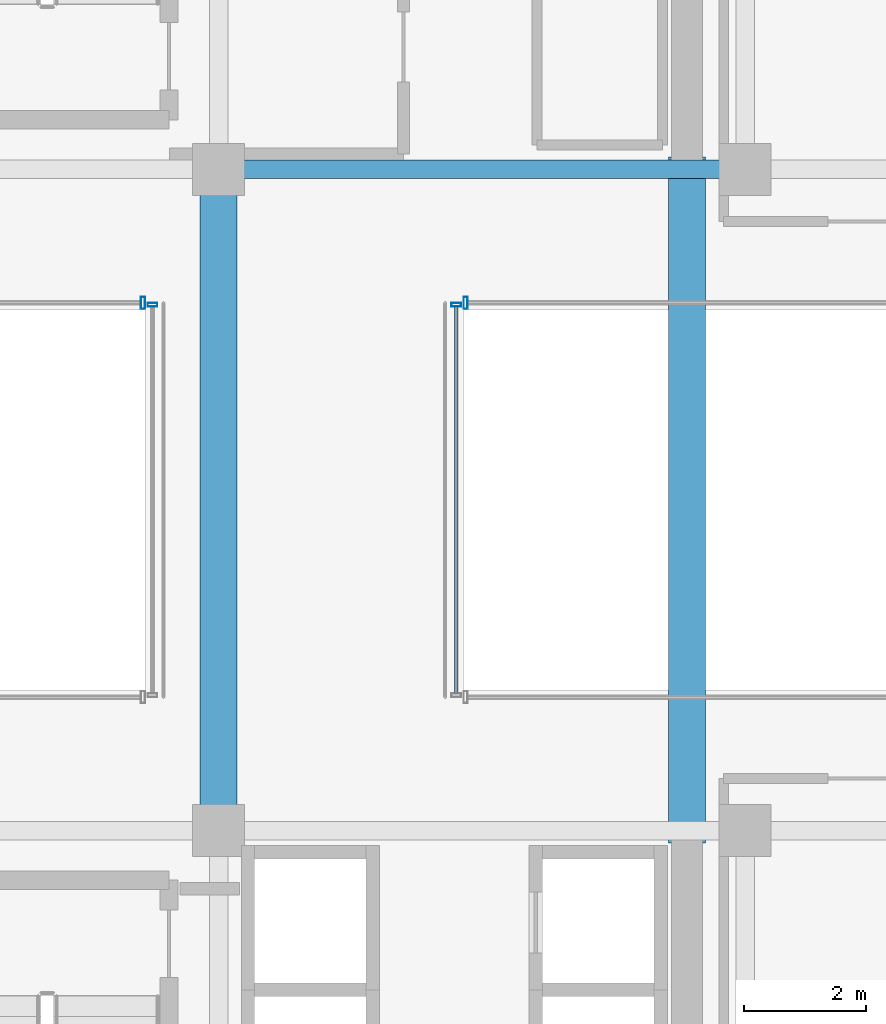
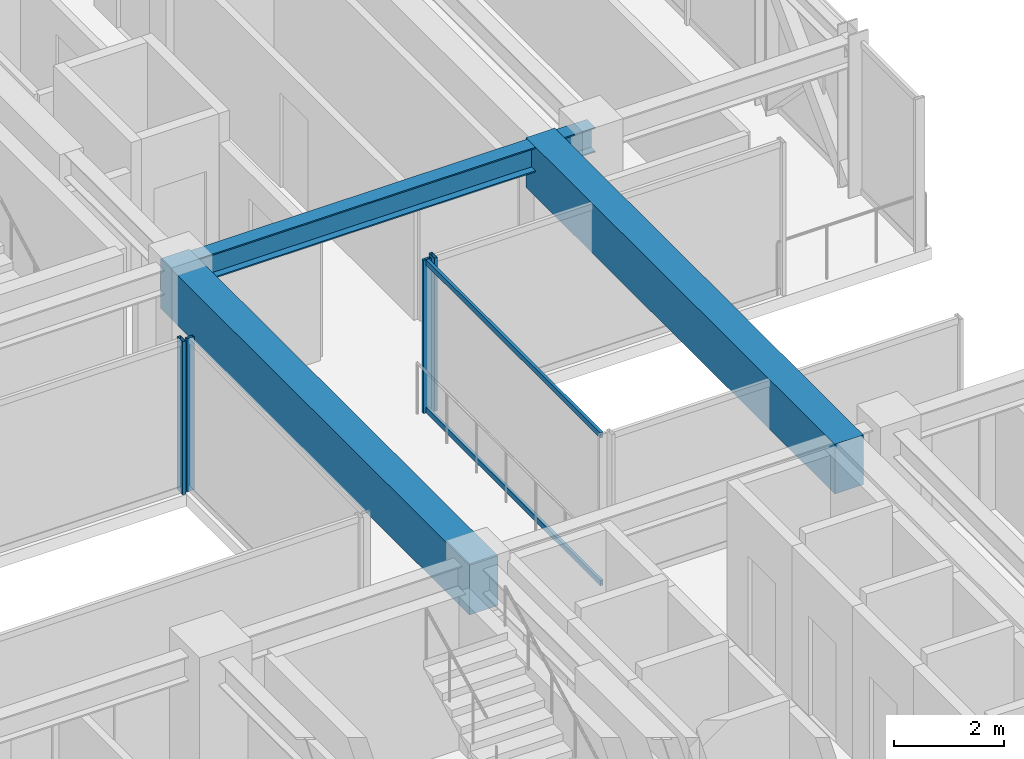
# One storey, part 17 of 36: 6 members, 3 beams, 4 elements without a shape of their own.
"""IFC4 building model written with IfcOpenShell, lengths in metres."""

from ifc_helpers import new_model, si_unit, direction, frame, origin, origin_2d, place, context, subcontext, project, spatial, rectangle, hollow_rectangle, i_section, extrude, source, transform, mapped, material, material_profile, profile_set, type_object, element, aggregate, save


model = new_model("IFC4")

# Units and contexts
model_context = context("Model", 3, precision=1e-05, world=origin(), true_north=direction((0.0, 1.0)))
body_context = subcontext(model_context, "Body", "Model", "MODEL_VIEW")
ifc_project = project(units=[si_unit("LENGTHUNIT", "METRE"), si_unit("AREAUNIT", "SQUARE_METRE"), si_unit("VOLUMEUNIT", "CUBIC_METRE"), si_unit("PLANEANGLEUNIT", "RADIAN"), si_unit("MASSUNIT", "GRAM", prefix="KILO")], contexts=[model_context])

# Site, building, storey
site_placement = place(None, origin())
site = spatial("IfcSite", under=ifc_project, at=site_placement, CompositionType="ELEMENT")
building_placement = place(site_placement, origin())
building = spatial("IfcBuilding", under=site, at=building_placement, Name="Nahalor Promenade Grand Hotel", CompositionType="ELEMENT")
storey_placement = place(building_placement, frame((0.0, 0.0, 170.89990234375)))
storey = spatial("IfcBuildingStorey", under=building, at=storey_placement, Name="L43", CompositionType="ELEMENT", Elevation=170.89990234375)

# Beams
ifc_material_1 = material(Name="Concrete B-60 (C50/60)", Category="concrete")
ifc_material_profile_1 = material_profile(ifc_material_1, rectangle(XDim=0.6, YDim=1.1, at=origin_2d()), Name="RC 600x1100")
ifc_profile_set_1 = profile_set([ifc_material_profile_1], Name="Concrete B-60 (C50/60)")
beam_type_1 = type_object("IfcBeamType", Name="Beam-Lintel-RC1100", PredefinedType="LINTEL", material=ifc_profile_set_1)
shared_shape_1 = source(origin(), body_context, "Body", "SweptSolid", [
    extrude(rectangle(XDim=0.6, YDim=1.1, at=origin_2d()), origin(), (0.0, 0.0, 1.0), 11.2001953125),
])
for number, where, z_axis, x_axis, name in (
    (1, (8.39990234375, -5.60009765625, 2.840087890625), (0.0, 1.0, 0.0), (-1.0, 0.0, 0.0), "BM-L43-LINT-W"),
    (2, (16.050048828125, -5.60009765625, 2.840087890625), (0.0, 1.0, 0.0), (-1.0, 0.0, 0.0), "BM-L43-LINT-E"),
):
    element("IfcBeam", number, at=place(storey_placement, frame(where, z_axis=z_axis, x_axis=x_axis)), inside=storey, type_object=beam_type_1, Name=name, PredefinedType="LINTEL", context=body_context, shape_type="MappedRepresentation", body=[
        mapped(shared_shape_1, transform((0.0, 0.0, 0.0), scale=1.0)),
    ])
ifc_material_2 = material(Name="Steel S355JR", Category="steel")
ifc_material_profile_2 = material_profile(ifc_material_2, i_section(OverallWidth=0.3, OverallDepth=0.55, WebThickness=0.015, FlangeThickness=0.029, at=origin_2d()), Name="HEB 550")
ifc_profile_set_2 = profile_set([ifc_material_profile_2], Name="Steel S355JR")
beam_type_2 = type_object("IfcBeamType", Name="Beam-Girder-HEB550", PredefinedType="BEAM", material=ifc_profile_set_2)
shared_shape_2 = source(origin(), body_context, "Body", "SweptSolid", [
    extrude(i_section(OverallWidth=0.3, OverallDepth=0.55, WebThickness=0.015, FlangeThickness=0.029, at=origin_2d()), origin(), (0.0, 0.0, 1.0), 8.60009765625),
])
beam_placement = place(storey_placement, frame((8.39990234375, 5.39990234375, 3.114990234375), z_axis=(1.0, 0.0, 0.0), x_axis=(0.0, 1.0, 0.0)))
element("IfcBeam", 3, at=beam_placement, inside=storey, type_object=beam_type_2, Name="BM-L43-GX-2-5", PredefinedType="BEAM", context=body_context, shape_type="MappedRepresentation", body=[
    mapped(shared_shape_2, transform((0.0, 0.0, 0.0), scale=1.0)),
])

# Curtain wall, members
ifc_material_3 = material(Name="Anodised Bronze Aluminium EN AW-6063 T6", Category="aluminium")
curtain_wall_type_1 = type_object("IfcCurtainWallType", Name="CW4 Low-Iron Sky-Gallery Bridge Curtain Wall", PredefinedType="USERDEFINED", material=ifc_material_3)
curtain_wall_1_placement = place(storey_placement, origin())
curtain_wall_1 = element("IfcCurtainWall", 4, at=curtain_wall_1_placement, inside=storey, type_object=curtain_wall_type_1, Name="L43 Curtain Wall CW-L43-BRG-E", ObjectType="UNITISED_CURTAIN_WALL", PredefinedType="USERDEFINED")
ifc_material_profile_3 = material_profile(ifc_material_3, hollow_rectangle(XDim=0.06, YDim=0.12, WallThickness=0.004, at=origin_2d()), Name="CWT 60x120x4")
ifc_profile_set_3 = profile_set([ifc_material_profile_3], Name="Anodised Bronze Aluminium EN AW-6063 T6")
member_type_1 = type_object("IfcMemberType", Name="CWT4 Sky-Gallery Slim Transom 60x120", PredefinedType="USERDEFINED", material=ifc_profile_set_3)
shared_shape_3 = source(origin(), body_context, "Body", "SweptSolid", [
    extrude(hollow_rectangle(XDim=0.06, YDim=0.12, WallThickness=0.004, at=origin_2d()), origin(), (0.0, 0.0, 1.0), 6.31982421875),
])
member_1_placement = place(storey_placement, frame((12.280029296875, -3.159912109375, 0.06005859375), z_axis=(0.0, 1.0, 0.0), x_axis=(-1.0, 0.0, 0.0)))
member_1 = element("IfcMember", 5, at=member_1_placement, type_object=member_type_1, Name="CW-L43-BRG-E Transom 0-0", ObjectType="TRANSOM", PredefinedType="USERDEFINED", context=body_context, shape_type="MappedRepresentation", body=[
    mapped(shared_shape_3, transform((0.0, 0.0, 0.0), scale=1.0)),
])
member_2_placement = place(storey_placement, frame((12.280029296875, -3.159912109375, 3.330078125), z_axis=(0.0, 1.0, 0.0), x_axis=(-1.0, 0.0, 0.0)))
member_2 = element("IfcMember", 6, at=member_2_placement, type_object=member_type_1, Name="CW-L43-BRG-E Transom 0-1", ObjectType="TRANSOM", PredefinedType="USERDEFINED", context=body_context, shape_type="MappedRepresentation", body=[
    mapped(shared_shape_3, transform((0.0, 0.0, 0.0), scale=1.0)),
])

# Curtain wall, member
curtain_wall_type_2 = type_object("IfcCurtainWallType", Name="CW3 Elliptical-Void Collar Unitised Curtain Wall", PredefinedType="USERDEFINED", material=ifc_material_3)
curtain_wall_2_placement = place(storey_placement, origin())
curtain_wall_2 = element("IfcCurtainWall", 7, at=curtain_wall_2_placement, inside=storey, type_object=curtain_wall_type_2, Name="L43 Curtain Wall CW-L43-VOID-WN1", ObjectType="UNITISED_CURTAIN_WALL", PredefinedType="USERDEFINED")
ifc_material_profile_4 = material_profile(ifc_material_3, hollow_rectangle(XDim=0.07, YDim=0.2, WallThickness=0.005, at=origin_2d()), Name="CWM 70x200x5")
ifc_profile_set_4 = profile_set([ifc_material_profile_4], Name="Anodised Bronze Aluminium EN AW-6063 T6")
member_type_2 = type_object("IfcMemberType", Name="CWM3 Void Collar Mullion 70x200", PredefinedType="MULLION", material=ifc_profile_set_4)
shared_shape_4 = source(origin(), body_context, "Body", "SweptSolid", [
    extrude(hollow_rectangle(XDim=0.07, YDim=0.2, WallThickness=0.005, at=origin_2d()), origin(), (0.0, 0.0, 1.0), 3.39013671875),
])
member_3_placement = place(storey_placement, frame((7.1650390625, 3.219970703125, 0.0), z_axis=(0.0, 0.0, 1.0), x_axis=(1.0, 0.0, 0.0)))
member_3 = element("IfcMember", 8, at=member_3_placement, type_object=member_type_2, Name="CW-L43-VOID-WN1 Mullion 3", PredefinedType="MULLION", context=body_context, shape_type="MappedRepresentation", body=[
    mapped(shared_shape_4, transform((0.0, 0.0, 0.0), scale=1.0)),
])
aggregate(curtain_wall_2, [member_3])

curtain_wall_3_placement = place(storey_placement, origin())
curtain_wall_3 = element("IfcCurtainWall", 9, at=curtain_wall_3_placement, inside=storey, type_object=curtain_wall_type_2, Name="L43 Curtain Wall CW-L43-VOID-EN1", ObjectType="UNITISED_CURTAIN_WALL", PredefinedType="USERDEFINED")
member_4_placement = place(storey_placement, frame((12.43505859375, 3.219970703125, 0.0), z_axis=(0.0, 0.0, 1.0), x_axis=(1.0, 0.0, 0.0)))
member_4 = element("IfcMember", 10, at=member_4_placement, type_object=member_type_2, Name="CW-L43-VOID-EN1 Mullion 0", PredefinedType="MULLION", context=body_context, shape_type="MappedRepresentation", body=[
    mapped(shared_shape_4, transform((0.0, 0.0, 0.0), scale=1.0)),
])
aggregate(curtain_wall_3, [member_4])

curtain_wall_4_placement = place(storey_placement, origin())
curtain_wall_4 = element("IfcCurtainWall", 11, at=curtain_wall_4_placement, inside=storey, type_object=curtain_wall_type_1, Name="L43 Curtain Wall CW-L43-BRG-W", ObjectType="UNITISED_CURTAIN_WALL", PredefinedType="USERDEFINED")
ifc_material_profile_5 = material_profile(ifc_material_3, hollow_rectangle(XDim=0.06, YDim=0.16, WallThickness=0.004, at=origin_2d()), Name="CWM 60x160x4")
ifc_profile_set_5 = profile_set([ifc_material_profile_5], Name="Anodised Bronze Aluminium EN AW-6063 T6")
member_type_3 = type_object("IfcMemberType", Name="CWM4 Sky-Gallery Slim Mullion 60x160", PredefinedType="MULLION", material=ifc_profile_set_5)
shared_shape_5 = source(origin(), body_context, "Body", "SweptSolid", [
    extrude(hollow_rectangle(XDim=0.06, YDim=0.16, WallThickness=0.004, at=origin_2d()), origin(), (0.0, 0.0, 1.0), 3.39013671875),
])
member_5_placement = place(storey_placement, frame((7.320068359375, 3.18994140625, 0.0), z_axis=(0.0, 0.0, 1.0), x_axis=(0.0, 1.0, 0.0)))
member_5 = element("IfcMember", 12, at=member_5_placement, type_object=member_type_3, Name="CW-L43-BRG-W Mullion 1", PredefinedType="MULLION", context=body_context, shape_type="MappedRepresentation", body=[
    mapped(shared_shape_5, transform((0.0, 0.0, 0.0), scale=1.0)),
])
aggregate(curtain_wall_4, [member_5])

# Member
member_6_placement = place(storey_placement, frame((12.280029296875, 3.18994140625, 0.0), z_axis=(0.0, 0.0, 1.0), x_axis=(0.0, 1.0, 0.0)))
member_6 = element("IfcMember", 13, at=member_6_placement, type_object=member_type_3, Name="CW-L43-BRG-E Mullion 1", PredefinedType="MULLION", context=body_context, shape_type="MappedRepresentation", body=[
    mapped(shared_shape_5, transform((0.0, 0.0, 0.0), scale=1.0)),
])

aggregate(curtain_wall_1, [member_6, member_1, member_2])

save(model, "model.ifc")
